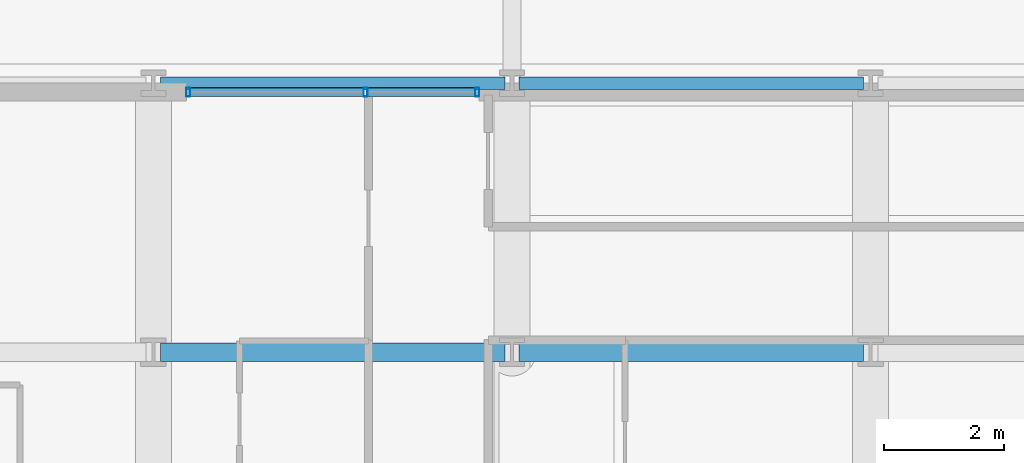
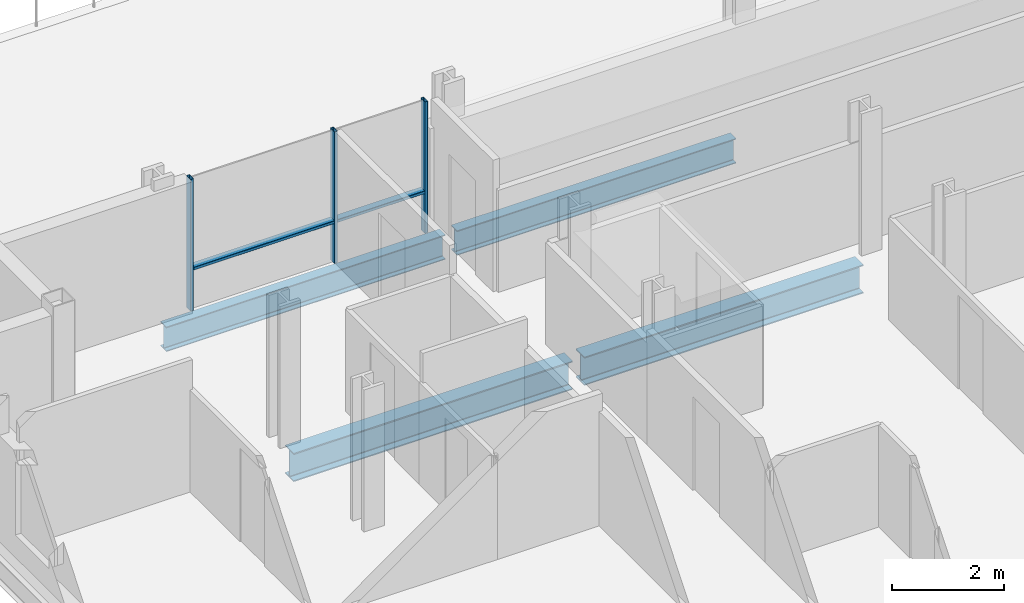
# One storey, part 7 of 38: 5 members, 4 beams, 1 element without a shape of its own.
"""IFC4 building model written with IfcOpenShell, lengths in metres."""

from ifc_helpers import new_model, si_unit, direction, frame, origin, origin_2d, place, context, subcontext, project, spatial, hollow_rectangle, i_section, extrude, material, layer, layer_set, material_profile, profile_set, type_object, element, aggregate, save


model = new_model("IFC4")

# Units and contexts
model_context = context("Model", 3, precision=1e-05, world=origin(), true_north=direction((0.0, 1.0)))
body_context = subcontext(model_context, "Body", "Model", "MODEL_VIEW")
ifc_project = project(units=[si_unit("LENGTHUNIT", "METRE"), si_unit("AREAUNIT", "SQUARE_METRE"), si_unit("VOLUMEUNIT", "CUBIC_METRE"), si_unit("PLANEANGLEUNIT", "RADIAN"), si_unit("MASSUNIT", "GRAM", prefix="KILO")], contexts=[model_context])

# Site, building, storey
site_placement = place(None, origin())
site = spatial("IfcSite", under=ifc_project, at=site_placement, CompositionType="ELEMENT")
building_placement = place(site_placement, origin())
building = spatial("IfcBuilding", under=site, at=building_placement, Name="Brevholm Reach", CompositionType="ELEMENT")
storey_placement = place(building_placement, frame((0.0, 0.0, 28.0)))
storey = spatial("IfcBuildingStorey", under=building, at=storey_placement, Name="L06", CompositionType="ELEMENT", Elevation=28.0)

# Beams
ifc_material_1 = material(Name="Structural Steel S355J2", Category="steel")
ifc_material_profile_1 = material_profile(ifc_material_1, i_section(OverallWidth=0.210693359375, OverallDepth=0.53955078125, WebThickness=0.01171875, FlangeThickness=0.018798828125, FilletRadius=0.0126953125, at=origin_2d()), Name="UKB 533x210x109")
ifc_profile_set_1 = profile_set([ifc_material_profile_1], Name="Structural Steel S355J2")
beam_type_1 = type_object("IfcBeamType", Name="BM-SP539", PredefinedType="SPANDREL", material=ifc_profile_set_1)
for number, where, z_axis, x_axis, name in (
    (1, (6.1201171875, 31.0, -0.539794921875), (1.0, 0.0, 0.0), (0.0, 1.0, 0.0), "L06 SP-01B Framing Beam"),
    (2, (12.1201171875, 31.0, -0.539794921875), (1.0, 0.0, 0.0), (0.0, 1.0, 0.0), "L06 SP-01B Framing Beam"),
):
    element("IfcBeam", number, at=place(storey_placement, frame(where, z_axis=z_axis, x_axis=x_axis)), inside=storey, type_object=beam_type_1, Name=name, PredefinedType="SPANDREL", context=body_context, shape_type="SweptSolid", body=[
        extrude(i_section(OverallWidth=0.210693359375, OverallDepth=0.53955078125, WebThickness=0.01171875, FlangeThickness=0.018798828125, FilletRadius=0.0126953125, at=origin_2d()), origin(), (0.0, 0.0, 1.0), 5.759765625),
    ])
ifc_material_2 = material(Name="Structural Steel S355J2", Category="steel")
ifc_material_profile_2 = material_profile(ifc_material_2, i_section(OverallWidth=0.30712890625, OverallDepth=0.6201171875, WebThickness=0.01416015625, FlangeThickness=0.023681640625, FilletRadius=0.0166015625, at=origin_2d()), Name="UKB 610x305x179")
ifc_profile_set_2 = profile_set([ifc_material_profile_2], Name="Structural Steel S355J2")
beam_type_2 = type_object("IfcBeamType", Name="BM-UKB610H", PredefinedType="USERDEFINED", material=ifc_profile_set_2)
for number, where, z_axis, x_axis, name in (
    (3, (6.1201171875, 26.5, -0.580078125), (1.0, 0.0, 0.0), (0.0, 1.0, 0.0), "L06 G-06 Framing Beam"),
    (4, (12.1201171875, 26.5, -0.580078125), (1.0, 0.0, 0.0), (0.0, 1.0, 0.0), "L06 G-06 Framing Beam"),
):
    element("IfcBeam", number, at=place(storey_placement, frame(where, z_axis=z_axis, x_axis=x_axis)), inside=storey, type_object=beam_type_2, Name=name, ObjectType="GIRDER", PredefinedType="USERDEFINED", context=body_context, shape_type="SweptSolid", body=[
        extrude(i_section(OverallWidth=0.30712890625, OverallDepth=0.6201171875, WebThickness=0.01416015625, FlangeThickness=0.023681640625, FilletRadius=0.0166015625, at=origin_2d()), origin(), (0.0, 0.0, 1.0), 5.759765625),
    ])

# Curtain wall, members
ifc_material_3 = material(Name="Dark Anodised Aluminium 6063-T6 and Solar-Control Glass", Category="aluminium")
ifc_layer = layer(ifc_material_3, 0.14990234375)
ifc_layer_set = layer_set([ifc_layer], Name="Dark Anodised Aluminium 6063-T6 and Solar-Control Glass")
curtain_wall_type = type_object("IfcCurtainWallType", Name="CW-01", PredefinedType="NOTDEFINED", material=ifc_layer_set)
curtain_wall_placement = place(storey_placement, origin())
curtain_wall = element("IfcCurtainWall", 5, at=curtain_wall_placement, inside=storey, type_object=curtain_wall_type, Name="L06 Curtain Wall CW-01", PredefinedType="NOTDEFINED")
ifc_material_4 = material(Name="Dark Anodised Aluminium 6063-T6", Category="aluminium")
ifc_material_profile_3 = material_profile(ifc_material_4, hollow_rectangle(XDim=0.06494140625, YDim=0.14990234375, WallThickness=0.0048828125, InnerFilletRadius=0.0048828125, OuterFilletRadius=0.010009765625, at=origin_2d()), Name="RHS 150x65x5")
ifc_profile_set_3 = profile_set([ifc_material_profile_3], Name="Dark Anodised Aluminium 6063-T6")
member_type_1 = type_object("IfcMemberType", Name="CWM-150", PredefinedType="MULLION", material=ifc_profile_set_3)
member_1_placement = place(storey_placement, frame((6.58251953125, 30.85009765625, 0.0), z_axis=(0.0, 0.0, 1.0), x_axis=(1.0, 0.0, 0.0)))
member_1 = element("IfcMember", 6, at=member_1_placement, type_object=member_type_1, Name="CM-150 Mullion 1", PredefinedType="MULLION", context=body_context, shape_type="SweptSolid", body=[
    extrude(hollow_rectangle(XDim=0.06494140625, YDim=0.14990234375, WallThickness=0.0048828125, InnerFilletRadius=0.0048828125, OuterFilletRadius=0.010009765625, at=origin_2d()), origin(), (0.0, 0.0, 1.0), 2.8701171875),
])
member_2_placement = place(storey_placement, frame((9.550048828125, 30.85009765625, 0.0), z_axis=(0.0, 0.0, 1.0), x_axis=(1.0, 0.0, 0.0)))
member_2 = element("IfcMember", 7, at=member_2_placement, type_object=member_type_1, Name="CM-150 Mullion 2", PredefinedType="MULLION", context=body_context, shape_type="SweptSolid", body=[
    extrude(hollow_rectangle(XDim=0.06494140625, YDim=0.14990234375, WallThickness=0.0048828125, InnerFilletRadius=0.0048828125, OuterFilletRadius=0.010009765625, at=origin_2d()), origin(), (0.0, 0.0, 1.0), 2.8701171875),
])
member_3_placement = place(storey_placement, frame((11.41748046875, 30.85009765625, 0.0), z_axis=(0.0, 0.0, 1.0), x_axis=(1.0, 0.0, 0.0)))
member_3 = element("IfcMember", 8, at=member_3_placement, type_object=member_type_1, Name="CM-150 Mullion 3", PredefinedType="MULLION", context=body_context, shape_type="SweptSolid", body=[
    extrude(hollow_rectangle(XDim=0.06494140625, YDim=0.14990234375, WallThickness=0.0048828125, InnerFilletRadius=0.0048828125, OuterFilletRadius=0.010009765625, at=origin_2d()), origin(), (0.0, 0.0, 1.0), 2.8701171875),
])
ifc_material_5 = material(Name="Dark Anodised Aluminium 6063-T6", Category="aluminium")
ifc_material_profile_4 = material_profile(ifc_material_5, hollow_rectangle(XDim=0.06494140625, YDim=0.14990234375, WallThickness=0.0048828125, InnerFilletRadius=0.0048828125, OuterFilletRadius=0.010009765625, at=origin_2d()), Name="RHS 150x65x5")
ifc_profile_set_4 = profile_set([ifc_material_profile_4], Name="Dark Anodised Aluminium 6063-T6")
member_type_2 = type_object("IfcMemberType", Name="CWT-150", PredefinedType="NOTDEFINED", material=ifc_profile_set_4)
member_4_placement = place(storey_placement, frame((6.614990234375, 30.85009765625, 0.89990234375), z_axis=(1.0, 0.0, 0.0), x_axis=(0.0, 0.0, 1.0)))
member_4 = element("IfcMember", 9, at=member_4_placement, type_object=member_type_2, Name="CT-150 Transom 1.1", ObjectType="TRANSOM", PredefinedType="USERDEFINED", context=body_context, shape_type="SweptSolid", body=[
    extrude(hollow_rectangle(XDim=0.06494140625, YDim=0.14990234375, WallThickness=0.0048828125, InnerFilletRadius=0.0048828125, OuterFilletRadius=0.010009765625, at=origin_2d()), origin(), (0.0, 0.0, 1.0), 2.902587890625),
])
member_5_placement = place(storey_placement, frame((9.58251953125, 30.85009765625, 0.89990234375), z_axis=(1.0, 0.0, 0.0), x_axis=(0.0, 0.0, 1.0)))
member_5 = element("IfcMember", 10, at=member_5_placement, type_object=member_type_2, Name="CT-150 Transom 2.1", ObjectType="TRANSOM", PredefinedType="USERDEFINED", context=body_context, shape_type="SweptSolid", body=[
    extrude(hollow_rectangle(XDim=0.06494140625, YDim=0.14990234375, WallThickness=0.0048828125, InnerFilletRadius=0.0048828125, OuterFilletRadius=0.010009765625, at=origin_2d()), origin(), (0.0, 0.0, 1.0), 1.802490234375),
])
aggregate(curtain_wall, [member_1, member_2, member_3, member_4, member_5])

save(model, "model.ifc")
